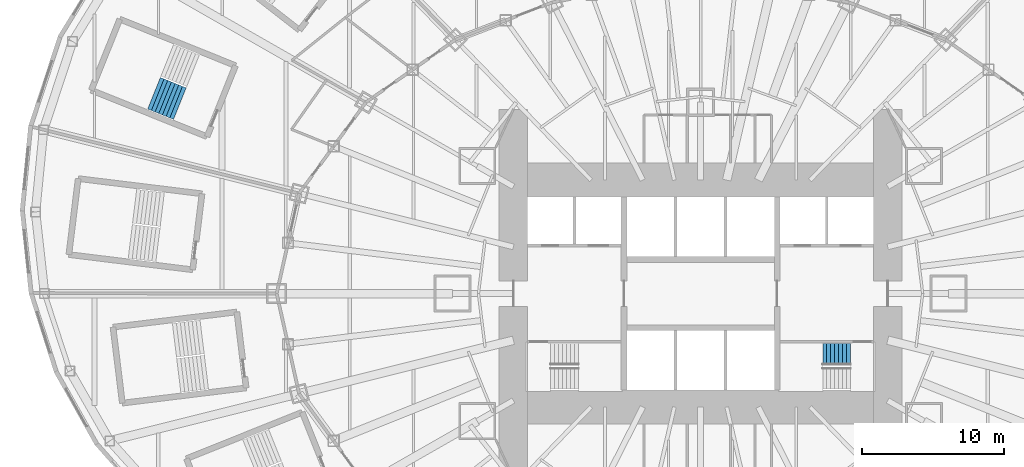
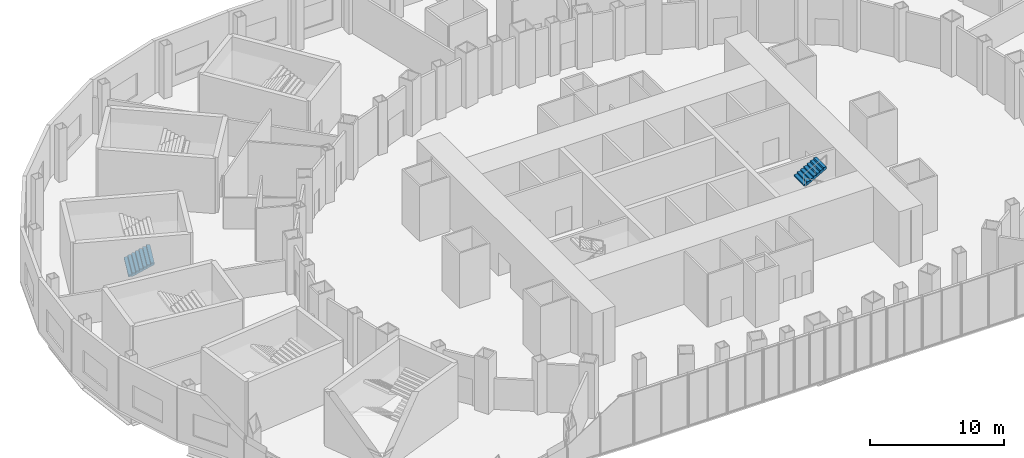
# One storey, part 33 of 73: 2 stair flights, 2 elements without a shape of their own.
"""IFC4 building model written with IfcOpenShell, lengths in metres."""

from ifc_helpers import new_model, si_unit, direction, frame, origin, place, context, subcontext, project, spatial, triangles, material, type_object, element, aggregate, save


model = new_model("IFC4")

# Units and contexts
model_context = context("Model", 3, precision=1e-05, world=origin(), true_north=direction((0.0, 1.0)))
body_context = subcontext(model_context, "Body", "Model", "MODEL_VIEW")
ifc_project = project(units=[si_unit("LENGTHUNIT", "METRE"), si_unit("AREAUNIT", "SQUARE_METRE"), si_unit("VOLUMEUNIT", "CUBIC_METRE"), si_unit("PLANEANGLEUNIT", "RADIAN"), si_unit("MASSUNIT", "GRAM", prefix="KILO")], contexts=[model_context])

# Site, building, storey
site_placement = place(None, origin())
site = spatial("IfcSite", under=ifc_project, at=site_placement, CompositionType="ELEMENT")
building_placement = place(site_placement, origin())
building = spatial("IfcBuilding", under=site, at=building_placement, Name="Lantaw Convention Tower", CompositionType="ELEMENT")
storey_placement = place(building_placement, frame((0.0, 0.0, 27.0)))
storey = spatial("IfcBuildingStorey", under=building, at=storey_placement, Name="L04", CompositionType="ELEMENT", Elevation=27.0)

# Stair, stair flight
ifc_material = material(Name="Concrete C35/45", Category="concrete")
stair_type_1 = type_object("IfcStairType", Name="Exit stair 1500 riser 156.25 in 4 flights", PredefinedType="HALF_TURN_STAIR", material=ifc_material)
stair_1_placement = place(storey_placement, origin())
stair_1 = element("IfcStair", 1, at=stair_1_placement, inside=storey, type_object=stair_type_1, Name="Exit stair S2 L04", PredefinedType="HALF_TURN_STAIR")
stair_flight_type_1 = type_object("IfcStairFlightType", Name="Stair flight 1500 riser 156.25", PredefinedType="STRAIGHT", material=ifc_material)
stair_flight_1_placement = place(storey_placement, frame((8.6201171875, -4.280029296875, 3.75), z_axis=(0.0, 0.0, 1.0), x_axis=(1.0, 0.0, 0.0)))
stair_flight_1 = element("IfcStairFlight", 2, at=stair_flight_1_placement, type_object=stair_flight_type_1, Name="S2 flight 4", NumberOfRisers=8, NumberOfTreads=7, PredefinedType="STRAIGHT", RiserHeight=0.15625, TreadLength=0.28, context=body_context, shape_type="Tessellation", body=[
    triangles([(0.0, 0.75, 0.0), (0.0, 0.75, 0.15625), (0.28, 0.75, 0.0), (0.28, 0.75, 0.15625), (0.28, 0.75, 0.3125), (0.3076200632058044, 0.75, 0.0), (0.3076200632058044, 0.75, 0.3125), (0.56, 0.75, 0.14083701830033238), (0.56, 0.75, 0.3125), (0.56, 0.75, 0.46875), (0.8400000000000001, 0.75, 0.29708701830033235), (0.8400000000000001, 0.75, 0.46875), (0.8400000000000001, 0.75, 0.625), (1.12, 0.75, 0.45333701830033235), (1.12, 0.75, 0.625), (1.12, 0.75, 0.78125), (1.4000000000000001, 0.75, 0.6095870183003324), (1.4000000000000001, 0.75, 0.78125), (1.4000000000000001, 0.75, 0.9375), (1.6800000000000002, 0.75, 0.7658370183003324), (1.6800000000000002, 0.75, 0.9375), (1.6800000000000002, 0.75, 1.09375), (1.9600000000000002, 0.75, 0.9220870183003324), (1.9600000000000002, 0.75, 1.09375), (0.0, -0.75, 0.0), (0.0, -0.75, 0.15625), (0.28, -0.75, 0.0), (0.28, -0.75, 0.15625), (0.28, -0.75, 0.3125), (0.3076200632058044, -0.75, 0.0), (0.3076200632058044, -0.75, 0.3125), (0.56, -0.75, 0.14083701830033238), (0.56, -0.75, 0.3125), (0.56, -0.75, 0.46875), (0.8400000000000001, -0.75, 0.29708701830033235), (0.8400000000000001, -0.75, 0.46875), (0.8400000000000001, -0.75, 0.625), (1.12, -0.75, 0.45333701830033235), (1.12, -0.75, 0.625), (1.12, -0.75, 0.78125), (1.4000000000000001, -0.75, 0.6095870183003324), (1.4000000000000001, -0.75, 0.78125), (1.4000000000000001, -0.75, 0.9375), (1.6800000000000002, -0.75, 0.7658370183003324), (1.6800000000000002, -0.75, 0.9375), (1.6800000000000002, -0.75, 1.09375), (1.9600000000000002, -0.75, 0.9220870183003324), (1.9600000000000002, -0.75, 1.09375), (0.0, 0.15000000000000002, 0.15625), (0.0, 0.15000000000000002, 0.0), (0.0, 0.0, 0.15625), (0.0, 0.0, 0.0), (0.0, -0.15000000000000002, 0.15625), (0.0, -0.15000000000000002, 0.0), (0.28, 0.15000000000000002, 0.3125), (0.28, 0.15000000000000002, 0.15625), (0.28, 0.0, 0.3125), (0.28, 0.0, 0.15625), (0.28, -0.15000000000000002, 0.3125), (0.28, -0.15000000000000002, 0.15625), (0.56, 0.15000000000000002, 0.46875), (0.56, 0.15000000000000002, 0.3125), (0.56, 0.0, 0.46875), (0.56, 0.0, 0.3125), (0.56, -0.15000000000000002, 0.46875), (0.56, -0.15000000000000002, 0.3125), (0.8400000000000001, 0.15000000000000002, 0.625), (0.8400000000000001, 0.15000000000000002, 0.46875), (0.8400000000000001, 0.0, 0.625), (0.8400000000000001, 0.0, 0.46875), (0.8400000000000001, -0.15000000000000002, 0.625), (0.8400000000000001, -0.15000000000000002, 0.46875), (1.12, 0.15000000000000002, 0.78125), (1.12, 0.15000000000000002, 0.625), (1.12, 0.0, 0.78125), (1.12, 0.0, 0.625), (1.12, -0.15000000000000002, 0.78125), (1.12, -0.15000000000000002, 0.625), (1.4000000000000001, 0.15000000000000002, 0.9375), (1.4000000000000001, 0.15000000000000002, 0.78125), (1.4000000000000001, 0.0, 0.9375), (1.4000000000000001, 0.0, 0.78125), (1.4000000000000001, -0.15000000000000002, 0.9375), (1.4000000000000001, -0.15000000000000002, 0.78125), (1.6800000000000002, 0.15000000000000002, 1.09375), (1.6800000000000002, 0.15000000000000002, 0.9375), (1.6800000000000002, 0.0, 1.09375), (1.6800000000000002, 0.0, 0.9375), (1.6800000000000002, -0.15000000000000002, 1.09375), (1.6800000000000002, -0.15000000000000002, 0.9375), (0.3076200632058044, 0.15000000000000002, 0.3125), (0.3076200632058044, 0.0, 0.3125), (0.3076200632058044, -0.15000000000000002, 0.3125), (1.9600000000000002, 0.15000000000000002, 1.09375), (1.9600000000000002, 0.0, 1.09375), (1.9600000000000002, -0.15000000000000002, 1.09375), (1.9600000000000002, 0.15000000000000002, 0.9220870183003324), (1.9600000000000002, 0.0, 0.9220870183003324), (1.9600000000000002, -0.15000000000000002, 0.9220870183003324), (1.6800000000000002, 0.15000000000000002, 0.7658370183003324), (1.6800000000000002, 0.0, 0.7658370183003324), (1.6800000000000002, -0.15000000000000002, 0.7658370183003324), (1.4000000000000001, 0.15000000000000002, 0.6095870183003324), (1.4000000000000001, 0.0, 0.6095870183003324), (1.4000000000000001, -0.15000000000000002, 0.6095870183003324), (1.12, 0.15000000000000002, 0.45333701830033235), (1.12, 0.0, 0.45333701830033235), (1.12, -0.15000000000000002, 0.45333701830033235), (0.8400000000000001, 0.15000000000000002, 0.29708701830033235), (0.8400000000000001, 0.0, 0.29708701830033235), (0.8400000000000001, -0.15000000000000002, 0.29708701830033235), (0.56, 0.15000000000000002, 0.14083701830033238), (0.56, 0.0, 0.14083701830033238), (0.56, -0.15000000000000002, 0.14083701830033238), (0.3076200632058044, 0.15000000000000002, 0.0), (0.3076200632058044, 0.0, 0.0), (0.3076200632058044, -0.15000000000000002, 0.0), (0.28, 0.15000000000000002, 0.0), (0.28, 0.0, 0.0), (0.28, -0.15000000000000002, 0.0)], [[1, 4, 3], [1, 2, 4], [3, 4, 6], [4, 7, 6], [4, 5, 7], [6, 9, 8], [6, 7, 9], [8, 9, 11], [9, 12, 11], [9, 10, 12], [11, 12, 14], [12, 15, 14], [12, 13, 15], [14, 15, 17], [15, 18, 17], [15, 16, 18], [17, 18, 20], [18, 21, 20], [18, 19, 21], [20, 21, 23], [21, 24, 23], [21, 22, 24], [25, 27, 28], [25, 28, 26], [27, 30, 28], [28, 30, 31], [28, 31, 29], [30, 32, 33], [30, 33, 31], [32, 35, 33], [33, 35, 36], [33, 36, 34], [35, 38, 36], [36, 38, 39], [36, 39, 37], [38, 41, 39], [39, 41, 42], [39, 42, 40], [41, 44, 42], [42, 44, 45], [42, 45, 43], [44, 47, 45], [45, 47, 48], [45, 48, 46], [1, 49, 2], [1, 50, 49], [50, 51, 49], [50, 52, 51], [52, 53, 51], [52, 54, 53], [54, 26, 53], [54, 25, 26], [4, 55, 5], [4, 56, 55], [56, 57, 55], [56, 58, 57], [58, 59, 57], [58, 60, 59], [60, 29, 59], [60, 28, 29], [9, 61, 10], [9, 62, 61], [62, 63, 61], [62, 64, 63], [64, 65, 63], [64, 66, 65], [66, 34, 65], [66, 33, 34], [12, 67, 13], [12, 68, 67], [68, 69, 67], [68, 70, 69], [70, 71, 69], [70, 72, 71], [72, 37, 71], [72, 36, 37], [15, 73, 16], [15, 74, 73], [74, 75, 73], [74, 76, 75], [76, 77, 75], [76, 78, 77], [78, 40, 77], [78, 39, 40], [18, 79, 19], [18, 80, 79], [80, 81, 79], [80, 82, 81], [82, 83, 81], [82, 84, 83], [84, 43, 83], [84, 42, 43], [21, 85, 22], [21, 86, 85], [86, 87, 85], [86, 88, 87], [88, 89, 87], [88, 90, 89], [90, 46, 89], [90, 45, 46], [2, 56, 4], [2, 49, 56], [49, 58, 56], [49, 51, 58], [51, 60, 58], [51, 53, 60], [53, 28, 60], [53, 26, 28], [5, 91, 7], [5, 55, 91], [55, 92, 91], [55, 57, 92], [57, 93, 92], [57, 59, 93], [59, 31, 93], [59, 29, 31], [7, 62, 9], [7, 91, 62], [91, 64, 62], [91, 92, 64], [92, 66, 64], [92, 93, 66], [93, 33, 66], [93, 31, 33], [10, 68, 12], [10, 61, 68], [61, 70, 68], [61, 63, 70], [63, 72, 70], [63, 65, 72], [65, 36, 72], [65, 34, 36], [13, 74, 15], [13, 67, 74], [67, 76, 74], [67, 69, 76], [69, 78, 76], [69, 71, 78], [71, 39, 78], [71, 37, 39], [16, 80, 18], [16, 73, 80], [73, 82, 80], [73, 75, 82], [75, 84, 82], [75, 77, 84], [77, 42, 84], [77, 40, 42], [19, 86, 21], [19, 79, 86], [79, 88, 86], [79, 81, 88], [81, 90, 88], [81, 83, 90], [83, 45, 90], [83, 43, 45], [22, 94, 24], [22, 85, 94], [85, 95, 94], [85, 87, 95], [87, 96, 95], [87, 89, 96], [89, 48, 96], [89, 46, 48], [24, 97, 23], [24, 94, 97], [94, 98, 97], [94, 95, 98], [95, 99, 98], [95, 96, 99], [96, 47, 99], [96, 48, 47], [23, 100, 20], [23, 97, 100], [97, 101, 100], [97, 98, 101], [98, 102, 101], [98, 99, 102], [99, 44, 102], [99, 47, 44], [20, 103, 17], [20, 100, 103], [100, 104, 103], [100, 101, 104], [101, 105, 104], [101, 102, 105], [102, 41, 105], [102, 44, 41], [17, 106, 14], [17, 103, 106], [103, 107, 106], [103, 104, 107], [104, 108, 107], [104, 105, 108], [105, 38, 108], [105, 41, 38], [14, 109, 11], [14, 106, 109], [106, 110, 109], [106, 107, 110], [107, 111, 110], [107, 108, 111], [108, 35, 111], [108, 38, 35], [11, 112, 8], [11, 109, 112], [109, 113, 112], [109, 110, 113], [110, 114, 113], [110, 111, 114], [111, 32, 114], [111, 35, 32], [8, 115, 6], [8, 112, 115], [112, 116, 115], [112, 113, 116], [113, 117, 116], [113, 114, 117], [114, 30, 117], [114, 32, 30], [6, 118, 3], [6, 115, 118], [115, 119, 118], [115, 116, 119], [116, 120, 119], [116, 117, 120], [117, 27, 120], [117, 30, 27], [3, 50, 1], [3, 118, 50], [118, 52, 50], [118, 119, 52], [119, 54, 52], [119, 120, 54], [120, 25, 54], [120, 27, 25]], closed=True),
])
aggregate(stair_1, [stair_flight_1])

stair_type_2 = type_object("IfcStairType", Name="Exit stair 2400 riser 156.25 in 4 flights", PredefinedType="HALF_TURN_STAIR", material=ifc_material)
stair_2_placement = place(storey_placement, origin())
stair_2 = element("IfcStair", 3, at=stair_2_placement, inside=storey, type_object=stair_type_2, Name="Podium exit stair P8 L04", PredefinedType="HALF_TURN_STAIR")
stair_flight_type_2 = type_object("IfcStairFlightType", Name="Stair flight 2400 riser 156.25", PredefinedType="STRAIGHT", material=ifc_material)
stair_flight_2_placement = place(storey_placement, frame((-38.5498046875, 14.12841796875, 1.25), z_axis=(0.0, 0.0, 1.0), x_axis=(0.928015168305, -0.372542410198, 0.0)))
stair_flight_2 = element("IfcStairFlight", 4, at=stair_flight_2_placement, type_object=stair_flight_type_2, Name="P8 flight 2", NumberOfRisers=8, NumberOfTreads=7, PredefinedType="STRAIGHT", RiserHeight=0.15625, TreadLength=0.28, context=body_context, shape_type="Tessellation", body=[
    triangles([(0.0, 1.199951171875, 0.0), (0.0, 1.199951171875, 0.15625), (0.28, 1.199951171875, 0.0), (0.28, 1.199951171875, 0.15625), (0.28, 1.199951171875, 0.3125), (0.3076200632058044, 1.199951171875, 0.0), (0.3076200632058044, 1.199951171875, 0.3125), (0.56, 1.199951171875, 0.14083701830033238), (0.56, 1.199951171875, 0.3125), (0.56, 1.199951171875, 0.46875), (0.8400000000000001, 1.199951171875, 0.29708701830033235), (0.8400000000000001, 1.199951171875, 0.46875), (0.8400000000000001, 1.199951171875, 0.625), (1.12, 1.199951171875, 0.45333701830033235), (1.12, 1.199951171875, 0.625), (1.12, 1.199951171875, 0.78125), (1.4000000000000001, 1.199951171875, 0.6095870183003324), (1.4000000000000001, 1.199951171875, 0.78125), (1.4000000000000001, 1.199951171875, 0.9375), (1.6800000000000002, 1.199951171875, 0.7658370183003324), (1.6800000000000002, 1.199951171875, 0.9375), (1.6800000000000002, 1.199951171875, 1.09375), (1.9600000000000002, 1.199951171875, 0.9220870183003324), (1.9600000000000002, 1.199951171875, 1.09375), (0.0, -1.199951171875, 0.0), (0.0, -1.199951171875, 0.15625), (0.28, -1.199951171875, 0.0), (0.28, -1.199951171875, 0.15625), (0.28, -1.199951171875, 0.3125), (0.3076200632058044, -1.199951171875, 0.0), (0.3076200632058044, -1.199951171875, 0.3125), (0.56, -1.199951171875, 0.14083701830033238), (0.56, -1.199951171875, 0.3125), (0.56, -1.199951171875, 0.46875), (0.8400000000000001, -1.199951171875, 0.29708701830033235), (0.8400000000000001, -1.199951171875, 0.46875), (0.8400000000000001, -1.199951171875, 0.625), (1.12, -1.199951171875, 0.45333701830033235), (1.12, -1.199951171875, 0.625), (1.12, -1.199951171875, 0.78125), (1.4000000000000001, -1.199951171875, 0.6095870183003324), (1.4000000000000001, -1.199951171875, 0.78125), (1.4000000000000001, -1.199951171875, 0.9375), (1.6800000000000002, -1.199951171875, 0.7658370183003324), (1.6800000000000002, -1.199951171875, 0.9375), (1.6800000000000002, -1.199951171875, 1.09375), (1.9600000000000002, -1.199951171875, 0.9220870183003324), (1.9600000000000002, -1.199951171875, 1.09375), (0.0, 0.239990234375, 0.15625), (0.0, 0.239990234375, 0.0), (0.0, 0.1919921875, 0.15625), (0.0, 0.1919921875, 0.0), (0.0, 0.143994140625, 0.15625), (0.0, 0.143994140625, 0.0), (0.0, 0.09599609375, 0.15625), (0.0, 0.09599609375, 0.0), (0.0, 0.047998046875, 0.15625), (0.0, 0.047998046875, 0.0), (0.0, 0.0, 0.15625), (0.0, 0.0, 0.0), (0.0, -0.047998046875, 0.15625), (0.0, -0.047998046875, 0.0), (0.0, -0.09599609375, 0.15625), (0.0, -0.09599609375, 0.0), (0.0, -0.143994140625, 0.15625), (0.0, -0.143994140625, 0.0), (0.0, -0.1919921875, 0.15625), (0.0, -0.1919921875, 0.0), (0.0, -0.239990234375, 0.15625), (0.0, -0.239990234375, 0.0), (0.28, 0.239990234375, 0.3125), (0.28, 0.239990234375, 0.15625), (0.28, 0.1919921875, 0.3125), (0.28, 0.1919921875, 0.15625), (0.28, 0.143994140625, 0.3125), (0.28, 0.143994140625, 0.15625), (0.28, 0.09599609375, 0.3125), (0.28, 0.09599609375, 0.15625), (0.28, 0.047998046875, 0.3125), (0.28, 0.047998046875, 0.15625), (0.28, 0.0, 0.3125), (0.28, 0.0, 0.15625), (0.28, -0.047998046875, 0.3125), (0.28, -0.047998046875, 0.15625), (0.28, -0.09599609375, 0.3125), (0.28, -0.09599609375, 0.15625), (0.28, -0.143994140625, 0.3125), (0.28, -0.143994140625, 0.15625), (0.28, -0.1919921875, 0.3125), (0.28, -0.1919921875, 0.15625), (0.28, -0.239990234375, 0.3125), (0.28, -0.239990234375, 0.15625), (0.56, 0.239990234375, 0.46875), (0.56, 0.239990234375, 0.3125), (0.56, 0.1919921875, 0.46875), (0.56, 0.1919921875, 0.3125), (0.56, 0.143994140625, 0.46875), (0.56, 0.143994140625, 0.3125), (0.56, 0.09599609375, 0.46875), (0.56, 0.09599609375, 0.3125), (0.56, 0.047998046875, 0.46875), (0.56, 0.047998046875, 0.3125), (0.56, 0.0, 0.46875), (0.56, 0.0, 0.3125), (0.56, -0.047998046875, 0.46875), (0.56, -0.047998046875, 0.3125), (0.56, -0.09599609375, 0.46875), (0.56, -0.09599609375, 0.3125), (0.56, -0.143994140625, 0.46875), (0.56, -0.143994140625, 0.3125), (0.56, -0.1919921875, 0.46875), (0.56, -0.1919921875, 0.3125), (0.56, -0.239990234375, 0.46875), (0.56, -0.239990234375, 0.3125), (0.8400000000000001, 0.239990234375, 0.625), (0.8400000000000001, 0.239990234375, 0.46875), (0.8400000000000001, 0.1919921875, 0.625), (0.8400000000000001, 0.1919921875, 0.46875), (0.8400000000000001, 0.143994140625, 0.625), (0.8400000000000001, 0.143994140625, 0.46875), (0.8400000000000001, 0.09599609375, 0.625), (0.8400000000000001, 0.09599609375, 0.46875), (0.8400000000000001, 0.047998046875, 0.625), (0.8400000000000001, 0.047998046875, 0.46875), (0.8400000000000001, 0.0, 0.625), (0.8400000000000001, 0.0, 0.46875), (0.8400000000000001, -0.047998046875, 0.625), (0.8400000000000001, -0.047998046875, 0.46875), (0.8400000000000001, -0.09599609375, 0.625), (0.8400000000000001, -0.09599609375, 0.46875), (0.8400000000000001, -0.143994140625, 0.625), (0.8400000000000001, -0.143994140625, 0.46875), (0.8400000000000001, -0.1919921875, 0.625), (0.8400000000000001, -0.1919921875, 0.46875), (0.8400000000000001, -0.239990234375, 0.625), (0.8400000000000001, -0.239990234375, 0.46875), (1.12, 0.239990234375, 0.78125), (1.12, 0.239990234375, 0.625), (1.12, 0.1919921875, 0.78125), (1.12, 0.1919921875, 0.625), (1.12, 0.143994140625, 0.78125), (1.12, 0.143994140625, 0.625), (1.12, 0.09599609375, 0.78125), (1.12, 0.09599609375, 0.625), (1.12, 0.047998046875, 0.78125), (1.12, 0.047998046875, 0.625), (1.12, 0.0, 0.78125), (1.12, 0.0, 0.625), (1.12, -0.047998046875, 0.78125), (1.12, -0.047998046875, 0.625), (1.12, -0.09599609375, 0.78125), (1.12, -0.09599609375, 0.625), (1.12, -0.143994140625, 0.78125), (1.12, -0.143994140625, 0.625), (1.12, -0.1919921875, 0.78125), (1.12, -0.1919921875, 0.625), (1.12, -0.239990234375, 0.78125), (1.12, -0.239990234375, 0.625), (1.4000000000000001, 0.239990234375, 0.9375), (1.4000000000000001, 0.239990234375, 0.78125), (1.4000000000000001, 0.1919921875, 0.9375), (1.4000000000000001, 0.1919921875, 0.78125), (1.4000000000000001, 0.143994140625, 0.9375), (1.4000000000000001, 0.143994140625, 0.78125), (1.4000000000000001, 0.09599609375, 0.9375), (1.4000000000000001, 0.09599609375, 0.78125), (1.4000000000000001, 0.047998046875, 0.9375), (1.4000000000000001, 0.047998046875, 0.78125), (1.4000000000000001, 0.0, 0.9375), (1.4000000000000001, 0.0, 0.78125), (1.4000000000000001, -0.047998046875, 0.9375), (1.4000000000000001, -0.047998046875, 0.78125), (1.4000000000000001, -0.09599609375, 0.9375), (1.4000000000000001, -0.09599609375, 0.78125), (1.4000000000000001, -0.143994140625, 0.9375), (1.4000000000000001, -0.143994140625, 0.78125), (1.4000000000000001, -0.1919921875, 0.9375), (1.4000000000000001, -0.1919921875, 0.78125), (1.4000000000000001, -0.239990234375, 0.9375), (1.4000000000000001, -0.239990234375, 0.78125), (1.6800000000000002, 0.239990234375, 1.09375), (1.6800000000000002, 0.239990234375, 0.9375), (1.6800000000000002, 0.1919921875, 1.09375), (1.6800000000000002, 0.1919921875, 0.9375), (1.6800000000000002, 0.143994140625, 1.09375), (1.6800000000000002, 0.143994140625, 0.9375), (1.6800000000000002, 0.09599609375, 1.09375), (1.6800000000000002, 0.09599609375, 0.9375), (1.6800000000000002, 0.047998046875, 1.09375), (1.6800000000000002, 0.047998046875, 0.9375), (1.6800000000000002, 0.0, 1.09375), (1.6800000000000002, 0.0, 0.9375), (1.6800000000000002, -0.047998046875, 1.09375), (1.6800000000000002, -0.047998046875, 0.9375), (1.6800000000000002, -0.09599609375, 1.09375), (1.6800000000000002, -0.09599609375, 0.9375), (1.6800000000000002, -0.143994140625, 1.09375), (1.6800000000000002, -0.143994140625, 0.9375), (1.6800000000000002, -0.1919921875, 1.09375), (1.6800000000000002, -0.1919921875, 0.9375), (1.6800000000000002, -0.239990234375, 1.09375), (1.6800000000000002, -0.239990234375, 0.9375), (0.3076200632058044, 0.239990234375, 0.3125), (0.3076200632058044, 0.1919921875, 0.3125), (0.3076200632058044, 0.143994140625, 0.3125), (0.3076200632058044, 0.09599609375, 0.3125), (0.3076200632058044, 0.047998046875, 0.3125), (0.3076200632058044, 0.0, 0.3125), (0.3076200632058044, -0.047998046875, 0.3125), (0.3076200632058044, -0.09599609375, 0.3125), (0.3076200632058044, -0.143994140625, 0.3125), (0.3076200632058044, -0.1919921875, 0.3125), (0.3076200632058044, -0.239990234375, 0.3125), (1.9600000000000002, 0.239990234375, 1.09375), (1.9600000000000002, 0.1919921875, 1.09375), (1.9600000000000002, 0.143994140625, 1.09375), (1.9600000000000002, 0.09599609375, 1.09375), (1.9600000000000002, 0.047998046875, 1.09375), (1.9600000000000002, 0.0, 1.09375), (1.9600000000000002, -0.047998046875, 1.09375), (1.9600000000000002, -0.09599609375, 1.09375), (1.9600000000000002, -0.143994140625, 1.09375), (1.9600000000000002, -0.1919921875, 1.09375), (1.9600000000000002, -0.239990234375, 1.09375), (1.9600000000000002, 0.239990234375, 0.9220870183003324), (1.9600000000000002, 0.1919921875, 0.9220870183003324), (1.9600000000000002, 0.143994140625, 0.9220870183003324), (1.9600000000000002, 0.09599609375, 0.9220870183003324), (1.9600000000000002, 0.047998046875, 0.9220870183003324), (1.9600000000000002, 0.0, 0.9220870183003324), (1.9600000000000002, -0.047998046875, 0.9220870183003324), (1.9600000000000002, -0.09599609375, 0.9220870183003324), (1.9600000000000002, -0.143994140625, 0.9220870183003324), (1.9600000000000002, -0.1919921875, 0.9220870183003324), (1.9600000000000002, -0.239990234375, 0.9220870183003324), (1.6800000000000002, 0.239990234375, 0.7658370183003324), (1.6800000000000002, 0.1919921875, 0.7658370183003324), (1.6800000000000002, 0.143994140625, 0.7658370183003324), (1.6800000000000002, 0.09599609375, 0.7658370183003324), (1.6800000000000002, 0.047998046875, 0.7658370183003324), (1.6800000000000002, 0.0, 0.7658370183003324), (1.6800000000000002, -0.047998046875, 0.7658370183003324), (1.6800000000000002, -0.09599609375, 0.7658370183003324), (1.6800000000000002, -0.143994140625, 0.7658370183003324), (1.6800000000000002, -0.1919921875, 0.7658370183003324), (1.6800000000000002, -0.239990234375, 0.7658370183003324), (1.4000000000000001, 0.239990234375, 0.6095870183003324), (1.4000000000000001, 0.1919921875, 0.6095870183003324), (1.4000000000000001, 0.143994140625, 0.6095870183003324), (1.4000000000000001, 0.09599609375, 0.6095870183003324), (1.4000000000000001, 0.047998046875, 0.6095870183003324), (1.4000000000000001, 0.0, 0.6095870183003324), (1.4000000000000001, -0.047998046875, 0.6095870183003324), (1.4000000000000001, -0.09599609375, 0.6095870183003324), (1.4000000000000001, -0.143994140625, 0.6095870183003324), (1.4000000000000001, -0.1919921875, 0.6095870183003324), (1.4000000000000001, -0.239990234375, 0.6095870183003324), (1.12, 0.239990234375, 0.45333701830033235), (1.12, 0.1919921875, 0.45333701830033235), (1.12, 0.143994140625, 0.45333701830033235), (1.12, 0.09599609375, 0.45333701830033235), (1.12, 0.047998046875, 0.45333701830033235), (1.12, 0.0, 0.45333701830033235), (1.12, -0.047998046875, 0.45333701830033235), (1.12, -0.09599609375, 0.45333701830033235), (1.12, -0.143994140625, 0.45333701830033235), (1.12, -0.1919921875, 0.45333701830033235), (1.12, -0.239990234375, 0.45333701830033235), (0.8400000000000001, 0.239990234375, 0.29708701830033235), (0.8400000000000001, 0.1919921875, 0.29708701830033235), (0.8400000000000001, 0.143994140625, 0.29708701830033235), (0.8400000000000001, 0.09599609375, 0.29708701830033235), (0.8400000000000001, 0.047998046875, 0.29708701830033235), (0.8400000000000001, 0.0, 0.29708701830033235), (0.8400000000000001, -0.047998046875, 0.29708701830033235), (0.8400000000000001, -0.09599609375, 0.29708701830033235), (0.8400000000000001, -0.143994140625, 0.29708701830033235), (0.8400000000000001, -0.1919921875, 0.29708701830033235), (0.8400000000000001, -0.239990234375, 0.29708701830033235), (0.56, 0.239990234375, 0.14083701830033238), (0.56, 0.1919921875, 0.14083701830033238), (0.56, 0.143994140625, 0.14083701830033238), (0.56, 0.09599609375, 0.14083701830033238), (0.56, 0.047998046875, 0.14083701830033238), (0.56, 0.0, 0.14083701830033238), (0.56, -0.047998046875, 0.14083701830033238), (0.56, -0.09599609375, 0.14083701830033238), (0.56, -0.143994140625, 0.14083701830033238), (0.56, -0.1919921875, 0.14083701830033238), (0.56, -0.239990234375, 0.14083701830033238), (0.3076200632058044, 0.239990234375, 0.0), (0.3076200632058044, 0.1919921875, 0.0), (0.3076200632058044, 0.143994140625, 0.0), (0.3076200632058044, 0.09599609375, 0.0), (0.3076200632058044, 0.047998046875, 0.0), (0.3076200632058044, 0.0, 0.0), (0.3076200632058044, -0.047998046875, 0.0), (0.3076200632058044, -0.09599609375, 0.0), (0.3076200632058044, -0.143994140625, 0.0), (0.3076200632058044, -0.1919921875, 0.0), (0.3076200632058044, -0.239990234375, 0.0), (0.28, 0.239990234375, 0.0), (0.28, 0.1919921875, 0.0), (0.28, 0.143994140625, 0.0), (0.28, 0.09599609375, 0.0), (0.28, 0.047998046875, 0.0), (0.28, 0.0, 0.0), (0.28, -0.047998046875, 0.0), (0.28, -0.09599609375, 0.0), (0.28, -0.143994140625, 0.0), (0.28, -0.1919921875, 0.0), (0.28, -0.239990234375, 0.0)], [[1, 4, 3], [1, 2, 4], [3, 4, 6], [4, 7, 6], [4, 5, 7], [6, 9, 8], [6, 7, 9], [8, 9, 11], [9, 12, 11], [9, 10, 12], [11, 12, 14], [12, 15, 14], [12, 13, 15], [14, 15, 17], [15, 18, 17], [15, 16, 18], [17, 18, 20], [18, 21, 20], [18, 19, 21], [20, 21, 23], [21, 24, 23], [21, 22, 24], [25, 27, 28], [25, 28, 26], [27, 30, 28], [28, 30, 31], [28, 31, 29], [30, 32, 33], [30, 33, 31], [32, 35, 33], [33, 35, 36], [33, 36, 34], [35, 38, 36], [36, 38, 39], [36, 39, 37], [38, 41, 39], [39, 41, 42], [39, 42, 40], [41, 44, 42], [42, 44, 45], [42, 45, 43], [44, 47, 45], [45, 47, 48], [45, 48, 46], [1, 49, 2], [1, 50, 49], [50, 51, 49], [50, 52, 51], [52, 53, 51], [52, 54, 53], [54, 55, 53], [54, 56, 55], [56, 57, 55], [56, 58, 57], [58, 59, 57], [58, 60, 59], [60, 61, 59], [60, 62, 61], [62, 63, 61], [62, 64, 63], [64, 65, 63], [64, 66, 65], [66, 67, 65], [66, 68, 67], [68, 69, 67], [68, 70, 69], [70, 26, 69], [70, 25, 26], [4, 71, 5], [4, 72, 71], [72, 73, 71], [72, 74, 73], [74, 75, 73], [74, 76, 75], [76, 77, 75], [76, 78, 77], [78, 79, 77], [78, 80, 79], [80, 81, 79], [80, 82, 81], [82, 83, 81], [82, 84, 83], [84, 85, 83], [84, 86, 85], [86, 87, 85], [86, 88, 87], [88, 89, 87], [88, 90, 89], [90, 91, 89], [90, 92, 91], [92, 29, 91], [92, 28, 29], [9, 93, 10], [9, 94, 93], [94, 95, 93], [94, 96, 95], [96, 97, 95], [96, 98, 97], [98, 99, 97], [98, 100, 99], [100, 101, 99], [100, 102, 101], [102, 103, 101], [102, 104, 103], [104, 105, 103], [104, 106, 105], [106, 107, 105], [106, 108, 107], [108, 109, 107], [108, 110, 109], [110, 111, 109], [110, 112, 111], [112, 113, 111], [112, 114, 113], [114, 34, 113], [114, 33, 34], [12, 115, 13], [12, 116, 115], [116, 117, 115], [116, 118, 117], [118, 119, 117], [118, 120, 119], [120, 121, 119], [120, 122, 121], [122, 123, 121], [122, 124, 123], [124, 125, 123], [124, 126, 125], [126, 127, 125], [126, 128, 127], [128, 129, 127], [128, 130, 129], [130, 131, 129], [130, 132, 131], [132, 133, 131], [132, 134, 133], [134, 135, 133], [134, 136, 135], [136, 37, 135], [136, 36, 37], [15, 137, 16], [15, 138, 137], [138, 139, 137], [138, 140, 139], [140, 141, 139], [140, 142, 141], [142, 143, 141], [142, 144, 143], [144, 145, 143], [144, 146, 145], [146, 147, 145], [146, 148, 147], [148, 149, 147], [148, 150, 149], [150, 151, 149], [150, 152, 151], [152, 153, 151], [152, 154, 153], [154, 155, 153], [154, 156, 155], [156, 157, 155], [156, 158, 157], [158, 40, 157], [158, 39, 40], [18, 159, 19], [18, 160, 159], [160, 161, 159], [160, 162, 161], [162, 163, 161], [162, 164, 163], [164, 165, 163], [164, 166, 165], [166, 167, 165], [166, 168, 167], [168, 169, 167], [168, 170, 169], [170, 171, 169], [170, 172, 171], [172, 173, 171], [172, 174, 173], [174, 175, 173], [174, 176, 175], [176, 177, 175], [176, 178, 177], [178, 179, 177], [178, 180, 179], [180, 43, 179], [180, 42, 43], [21, 181, 22], [21, 182, 181], [182, 183, 181], [182, 184, 183], [184, 185, 183], [184, 186, 185], [186, 187, 185], [186, 188, 187], [188, 189, 187], [188, 190, 189], [190, 191, 189], [190, 192, 191], [192, 193, 191], [192, 194, 193], [194, 195, 193], [194, 196, 195], [196, 197, 195], [196, 198, 197], [198, 199, 197], [198, 200, 199], [200, 201, 199], [200, 202, 201], [202, 46, 201], [202, 45, 46], [2, 72, 4], [2, 49, 72], [49, 74, 72], [49, 51, 74], [51, 76, 74], [51, 53, 76], [53, 78, 76], [53, 55, 78], [55, 80, 78], [55, 57, 80], [57, 82, 80], [57, 59, 82], [59, 84, 82], [59, 61, 84], [61, 86, 84], [61, 63, 86], [63, 88, 86], [63, 65, 88], [65, 90, 88], [65, 67, 90], [67, 92, 90], [67, 69, 92], [69, 28, 92], [69, 26, 28], [5, 203, 7], [5, 71, 203], [71, 204, 203], [71, 73, 204], [73, 205, 204], [73, 75, 205], [75, 206, 205], [75, 77, 206], [77, 207, 206], [77, 79, 207], [79, 208, 207], [79, 81, 208], [81, 209, 208], [81, 83, 209], [83, 210, 209], [83, 85, 210], [85, 211, 210], [85, 87, 211], [87, 212, 211], [87, 89, 212], [89, 213, 212], [89, 91, 213], [91, 31, 213], [91, 29, 31], [7, 94, 9], [7, 203, 94], [203, 96, 94], [203, 204, 96], [204, 98, 96], [204, 205, 98], [205, 100, 98], [205, 206, 100], [206, 102, 100], [206, 207, 102], [207, 104, 102], [207, 208, 104], [208, 106, 104], [208, 209, 106], [209, 108, 106], [209, 210, 108], [210, 110, 108], [210, 211, 110], [211, 112, 110], [211, 212, 112], [212, 114, 112], [212, 213, 114], [213, 33, 114], [213, 31, 33], [10, 116, 12], [10, 93, 116], [93, 118, 116], [93, 95, 118], [95, 120, 118], [95, 97, 120], [97, 122, 120], [97, 99, 122], [99, 124, 122], [99, 101, 124], [101, 126, 124], [101, 103, 126], [103, 128, 126], [103, 105, 128], [105, 130, 128], [105, 107, 130], [107, 132, 130], [107, 109, 132], [109, 134, 132], [109, 111, 134], [111, 136, 134], [111, 113, 136], [113, 36, 136], [113, 34, 36], [13, 138, 15], [13, 115, 138], [115, 140, 138], [115, 117, 140], [117, 142, 140], [117, 119, 142], [119, 144, 142], [119, 121, 144], [121, 146, 144], [121, 123, 146], [123, 148, 146], [123, 125, 148], [125, 150, 148], [125, 127, 150], [127, 152, 150], [127, 129, 152], [129, 154, 152], [129, 131, 154], [131, 156, 154], [131, 133, 156], [133, 158, 156], [133, 135, 158], [135, 39, 158], [135, 37, 39], [16, 160, 18], [16, 137, 160], [137, 162, 160], [137, 139, 162], [139, 164, 162], [139, 141, 164], [141, 166, 164], [141, 143, 166], [143, 168, 166], [143, 145, 168], [145, 170, 168], [145, 147, 170], [147, 172, 170], [147, 149, 172], [149, 174, 172], [149, 151, 174], [151, 176, 174], [151, 153, 176], [153, 178, 176], [153, 155, 178], [155, 180, 178], [155, 157, 180], [157, 42, 180], [157, 40, 42], [19, 182, 21], [19, 159, 182], [159, 184, 182], [159, 161, 184], [161, 186, 184], [161, 163, 186], [163, 188, 186], [163, 165, 188], [165, 190, 188], [165, 167, 190], [167, 192, 190], [167, 169, 192], [169, 194, 192], [169, 171, 194], [171, 196, 194], [171, 173, 196], [173, 198, 196], [173, 175, 198], [175, 200, 198], [175, 177, 200], [177, 202, 200], [177, 179, 202], [179, 45, 202], [179, 43, 45], [22, 214, 24], [22, 181, 214], [181, 215, 214], [181, 183, 215], [183, 216, 215], [183, 185, 216], [185, 217, 216], [185, 187, 217], [187, 218, 217], [187, 189, 218], [189, 219, 218], [189, 191, 219], [191, 220, 219], [191, 193, 220], [193, 221, 220], [193, 195, 221], [195, 222, 221], [195, 197, 222], [197, 223, 222], [197, 199, 223], [199, 224, 223], [199, 201, 224], [201, 48, 224], [201, 46, 48], [24, 225, 23], [24, 214, 225], [214, 226, 225], [214, 215, 226], [215, 227, 226], [215, 216, 227], [216, 228, 227], [216, 217, 228], [217, 229, 228], [217, 218, 229], [218, 230, 229], [218, 219, 230], [219, 231, 230], [219, 220, 231], [220, 232, 231], [220, 221, 232], [221, 233, 232], [221, 222, 233], [222, 234, 233], [222, 223, 234], [223, 235, 234], [223, 224, 235], [224, 47, 235], [224, 48, 47], [23, 236, 20], [23, 225, 236], [225, 237, 236], [225, 226, 237], [226, 238, 237], [226, 227, 238], [227, 239, 238], [227, 228, 239], [228, 240, 239], [228, 229, 240], [229, 241, 240], [229, 230, 241], [230, 242, 241], [230, 231, 242], [231, 243, 242], [231, 232, 243], [232, 244, 243], [232, 233, 244], [233, 245, 244], [233, 234, 245], [234, 246, 245], [234, 235, 246], [235, 44, 246], [235, 47, 44], [20, 247, 17], [20, 236, 247], [236, 248, 247], [236, 237, 248], [237, 249, 248], [237, 238, 249], [238, 250, 249], [238, 239, 250], [239, 251, 250], [239, 240, 251], [240, 252, 251], [240, 241, 252], [241, 253, 252], [241, 242, 253], [242, 254, 253], [242, 243, 254], [243, 255, 254], [243, 244, 255], [244, 256, 255], [244, 245, 256], [245, 257, 256], [245, 246, 257], [246, 41, 257], [246, 44, 41], [17, 258, 14], [17, 247, 258], [247, 259, 258], [247, 248, 259], [248, 260, 259], [248, 249, 260], [249, 261, 260], [249, 250, 261], [250, 262, 261], [250, 251, 262], [251, 263, 262], [251, 252, 263], [252, 264, 263], [252, 253, 264], [253, 265, 264], [253, 254, 265], [254, 266, 265], [254, 255, 266], [255, 267, 266], [255, 256, 267], [256, 268, 267], [256, 257, 268], [257, 38, 268], [257, 41, 38], [14, 269, 11], [14, 258, 269], [258, 270, 269], [258, 259, 270], [259, 271, 270], [259, 260, 271], [260, 272, 271], [260, 261, 272], [261, 273, 272], [261, 262, 273], [262, 274, 273], [262, 263, 274], [263, 275, 274], [263, 264, 275], [264, 276, 275], [264, 265, 276], [265, 277, 276], [265, 266, 277], [266, 278, 277], [266, 267, 278], [267, 279, 278], [267, 268, 279], [268, 35, 279], [268, 38, 35], [11, 280, 8], [11, 269, 280], [269, 281, 280], [269, 270, 281], [270, 282, 281], [270, 271, 282], [271, 283, 282], [271, 272, 283], [272, 284, 283], [272, 273, 284], [273, 285, 284], [273, 274, 285], [274, 286, 285], [274, 275, 286], [275, 287, 286], [275, 276, 287], [276, 288, 287], [276, 277, 288], [277, 289, 288], [277, 278, 289], [278, 290, 289], [278, 279, 290], [279, 32, 290], [279, 35, 32], [8, 291, 6], [8, 280, 291], [280, 292, 291], [280, 281, 292], [281, 293, 292], [281, 282, 293], [282, 294, 293], [282, 283, 294], [283, 295, 294], [283, 284, 295], [284, 296, 295], [284, 285, 296], [285, 297, 296], [285, 286, 297], [286, 298, 297], [286, 287, 298], [287, 299, 298], [287, 288, 299], [288, 300, 299], [288, 289, 300], [289, 301, 300], [289, 290, 301], [290, 30, 301], [290, 32, 30], [6, 302, 3], [6, 291, 302], [291, 303, 302], [291, 292, 303], [292, 304, 303], [292, 293, 304], [293, 305, 304], [293, 294, 305], [294, 306, 305], [294, 295, 306], [295, 307, 306], [295, 296, 307], [296, 308, 307], [296, 297, 308], [297, 309, 308], [297, 298, 309], [298, 310, 309], [298, 299, 310], [299, 311, 310], [299, 300, 311], [300, 312, 311], [300, 301, 312], [301, 27, 312], [301, 30, 27], [3, 50, 1], [3, 302, 50], [302, 52, 50], [302, 303, 52], [303, 54, 52], [303, 304, 54], [304, 56, 54], [304, 305, 56], [305, 58, 56], [305, 306, 58], [306, 60, 58], [306, 307, 60], [307, 62, 60], [307, 308, 62], [308, 64, 62], [308, 309, 64], [309, 66, 64], [309, 310, 66], [310, 68, 66], [310, 311, 68], [311, 70, 68], [311, 312, 70], [312, 25, 70], [312, 27, 25]], closed=True),
])
aggregate(stair_2, [stair_flight_2])

save(model, "model.ifc")
